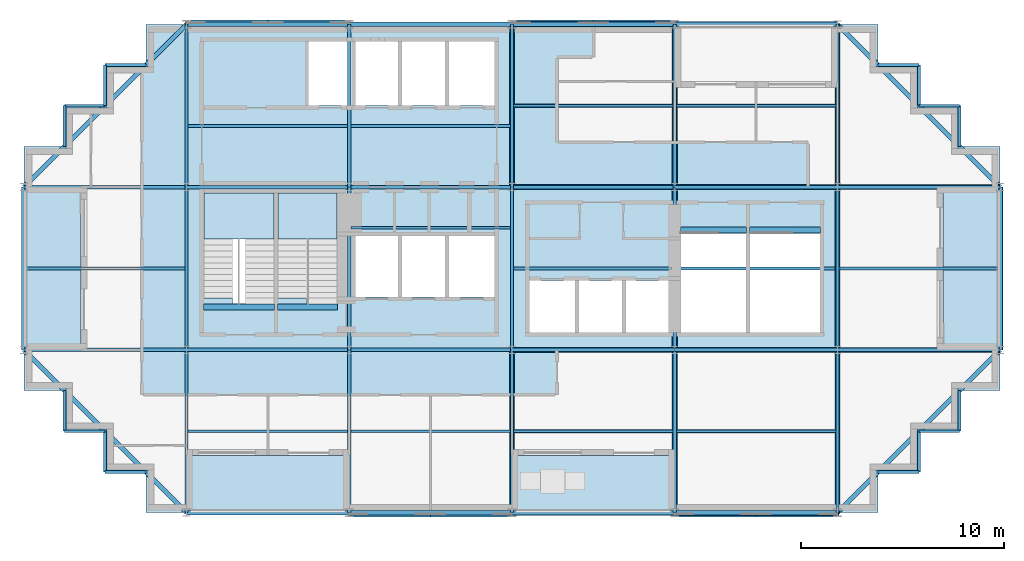
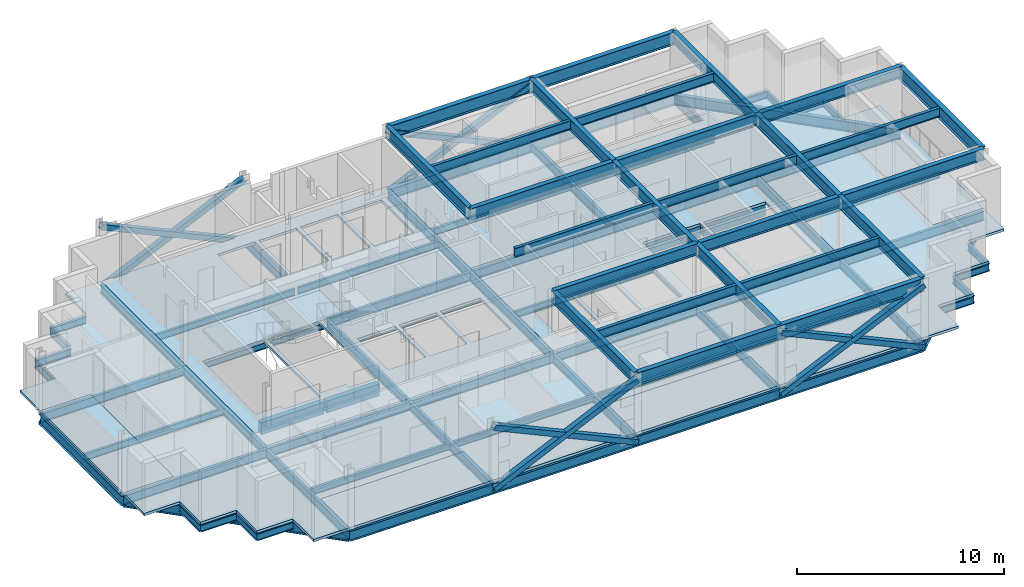
# One storey, part 3 of 10: 99 beams, 9 slabs, 8 members, 2 elements without a shape of their own.
"""IFC4 building model written with IfcOpenShell, lengths in metres."""

from ifc_helpers import new_model, si_unit, direction, frame, origin, origin_2d, place, context, subcontext, project, spatial, polyline, rectangle, hollow_rectangle, i_section, outline, extrude, material, layer, layer_set, material_profile, profile_set, type_object, element, aggregate, save


model = new_model("IFC4")

# Units and contexts
model_context = context("Model", 3, precision=1e-05, world=origin(), true_north=direction((0.0, 1.0)))
body_context = subcontext(model_context, "Body", "Model", "MODEL_VIEW")
ifc_project = project(units=[si_unit("LENGTHUNIT", "METRE"), si_unit("AREAUNIT", "SQUARE_METRE"), si_unit("VOLUMEUNIT", "CUBIC_METRE"), si_unit("PLANEANGLEUNIT", "RADIAN"), si_unit("MASSUNIT", "GRAM", prefix="KILO")], contexts=[model_context])

# Site, building, storey
site_placement = place(None, origin())
site = spatial("IfcSite", under=ifc_project, at=site_placement, CompositionType="ELEMENT")
building_placement = place(site_placement, origin())
building = spatial("IfcBuilding", under=site, at=building_placement, Name="Immortelle Media Tower", CompositionType="ELEMENT")
storey_placement = place(building_placement, frame((0.0, 0.0, 295.0)))
storey = spatial("IfcBuildingStorey", under=building, at=storey_placement, Name="L65", CompositionType="ELEMENT", Elevation=295.0)

# Members
ifc_material_1 = material(Name="Steel ASTM A500 Gr C", Category="steel")
ifc_material_profile_1 = material_profile(ifc_material_1, hollow_rectangle(XDim=0.304931640625, YDim=0.304931640625, WallThickness=0.009033203125, at=origin_2d()), Name="HSS12x12x3/8 brace")
ifc_profile_set_1 = profile_set([ifc_material_profile_1], Name="Steel ASTM A500 Gr C")
member_type = type_object("IfcMemberType", Name="HSS12x12x3/8 brace", PredefinedType="BRACE", material=ifc_profile_set_1)
for number, where, z_axis, x_axis, name in (
    (1, (16.0, -0.0625, -0.450927734375), (0.908924687736, 0.0, 0.416960324281), (0.0, 1.0, 0.0), "Brace A/3-4 A"),
    (2, (16.0, -0.0625, 3.218994140625), (0.908924687736, 0.0, -0.416960324281), (0.0, 1.0, 0.0), "Brace A/3-4 B"),
    (3, (32.0, -0.0625, -0.450927734375), (0.908924687736, 0.0, 0.416960324281), (0.0, 1.0, 0.0), "Brace A/5-6 A"),
    (4, (32.0, -0.0625, 3.218994140625), (0.908924687736, 0.0, -0.416960324281), (0.0, 1.0, 0.0), "Brace A/5-6 B"),
    (5, (32.0, 24.0625, -0.450927734375), (-0.908924687736, 0.0, 0.416960324281), (0.0, -1.0, 0.0), "Brace D/4-5 A"),
    (6, (32.0, 24.0625, 3.218994140625), (-0.908924687736, 0.0, -0.416960324281), (0.0, -1.0, 0.0), "Brace D/4-5 B"),
    (7, (16.0, 24.0625, -0.450927734375), (-0.908924687736, 0.0, 0.416960324281), (0.0, -1.0, 0.0), "Brace D/2-3 A"),
    (8, (16.0, 24.0625, 3.218994140625), (-0.908924687736, 0.0, -0.416960324281), (0.0, -1.0, 0.0), "Brace D/2-3 B"),
):
    element("IfcMember", number, at=place(storey_placement, frame(where, z_axis=z_axis, x_axis=x_axis)), inside=storey, type_object=member_type, Name=name, PredefinedType="BRACE", context=body_context, shape_type="SweptSolid", body=[
        extrude(hollow_rectangle(XDim=0.304931640625, YDim=0.304931640625, WallThickness=0.009033203125, at=origin_2d()), origin(), (0.0, 0.0, 1.0), 8.801513671875),
    ])

# Beams
ifc_material_2 = material(Name="Concrete C50/60", Category="concrete")
ifc_material_profile_2 = material_profile(ifc_material_2, rectangle(XDim=0.300048828125, YDim=0.699951171875, at=origin_2d()), Name="RC 300x700")
ifc_profile_set_2 = profile_set([ifc_material_profile_2], Name="Concrete C50/60")
beam_type_1 = type_object("IfcBeamType", Name="Stair trimmer beam 300 x 700", PredefinedType="BEAM", material=ifc_profile_set_2)
beam_1_placement = place(storey_placement, frame((8.830078125, 10.10498046875, -0.5), z_axis=(1.0, 0.0, 0.0), x_axis=(0.0, 1.0, 0.0)))
element("IfcBeam", 9, at=beam_1_placement, inside=storey, type_object=beam_type_1, Name="Stair trimmer beam SW1", PredefinedType="BEAM", context=body_context, shape_type="SweptSolid", body=[
    extrude(rectangle(XDim=0.300048828125, YDim=0.699951171875, at=origin_2d()), origin(), (0.0, 0.0, 1.0), 3.489990234375),
])
beam_2_placement = place(storey_placement, frame((12.47998046875, 10.10498046875, -0.5), z_axis=(1.0, 0.0, 0.0), x_axis=(0.0, 1.0, 0.0)))
element("IfcBeam", 10, at=beam_2_placement, inside=storey, type_object=beam_type_1, Name="Stair trimmer beam SW2", PredefinedType="BEAM", context=body_context, shape_type="SweptSolid", body=[
    extrude(rectangle(XDim=0.300048828125, YDim=0.699951171875, at=origin_2d()), origin(), (0.0, 0.0, 1.0), 2.93994140625),
])
beam_3_placement = place(storey_placement, frame((32.280029296875, 13.89501953125, -0.5), z_axis=(1.0, 0.0, 0.0), x_axis=(0.0, 1.0, 0.0)))
element("IfcBeam", 11, at=beam_3_placement, inside=storey, type_object=beam_type_1, Name="Stair trimmer beam SE1", PredefinedType="BEAM", context=body_context, shape_type="SweptSolid", body=[
    extrude(rectangle(XDim=0.300048828125, YDim=0.699951171875, at=origin_2d()), origin(), (0.0, 0.0, 1.0), 3.239990234375),
])
beam_4_placement = place(storey_placement, frame((35.679931640625, 13.89501953125, -0.5), z_axis=(1.0, 0.0, 0.0), x_axis=(0.0, 1.0, 0.0)))
element("IfcBeam", 12, at=beam_4_placement, inside=storey, type_object=beam_type_1, Name="Stair trimmer beam SE2", PredefinedType="BEAM", context=body_context, shape_type="SweptSolid", body=[
    extrude(rectangle(XDim=0.300048828125, YDim=0.699951171875, at=origin_2d()), origin(), (0.0, 0.0, 1.0), 3.489990234375),
])
ifc_material_3 = material(Name="Steel ASTM A992 Gr 50", Category="steel")
ifc_material_profile_3 = material_profile(ifc_material_3, i_section(OverallWidth=0.139892578125, OverallDepth=0.404052734375, WebThickness=0.007080078125, FlangeThickness=0.010986328125, at=origin_2d()), Name="W16x31")
ifc_profile_set_3 = profile_set([ifc_material_profile_3], Name="Steel ASTM A992 Gr 50")
beam_type_2 = type_object("IfcBeamType", Name="W16x31 secondary beam", PredefinedType="JOIST", material=ifc_profile_set_3)
for number, where, z_axis, x_axis, name in (
    (13, (8.08251953125, 4.0, -0.35205078125), (1.0, 0.0, 0.0), (0.0, 1.0, 0.0), "Beam A-B/2-3"),
    (14, (16.08251953125, 4.0, -0.35205078125), (1.0, 0.0, 0.0), (0.0, 1.0, 0.0), "Beam A-B/3-4"),
    (15, (24.08251953125, 4.0, -0.35205078125), (1.0, 0.0, 0.0), (0.0, 1.0, 0.0), "Beam A-B/4-5"),
    (16, (32.08251953125, 4.0, -0.35205078125), (1.0, 0.0, 0.0), (0.0, 1.0, 0.0), "Beam A-B/5-6"),
):
    element("IfcBeam", number, at=place(storey_placement, frame(where, z_axis=z_axis, x_axis=x_axis)), inside=storey, type_object=beam_type_2, Name=name, PredefinedType="JOIST", context=body_context, shape_type="SweptSolid", body=[
        extrude(i_section(OverallWidth=0.139892578125, OverallDepth=0.404052734375, WebThickness=0.007080078125, FlangeThickness=0.010986328125, at=origin_2d()), origin(), (0.0, 0.0, 1.0), 7.8349609375),
    ])
beam_5_placement = place(storey_placement, frame((0.114013671875, 12.0, -0.35205078125), z_axis=(1.0, 0.0, 0.0), x_axis=(0.0, 1.0, 0.0)))
element("IfcBeam", 17, at=beam_5_placement, inside=storey, type_object=beam_type_2, Name="Beam B-C/1-2", PredefinedType="JOIST", context=body_context, shape_type="SweptSolid", body=[
    extrude(i_section(OverallWidth=0.139892578125, OverallDepth=0.404052734375, WebThickness=0.007080078125, FlangeThickness=0.010986328125, at=origin_2d()), origin(), (0.0, 0.0, 1.0), 7.803466796875),
])
for number, where, z_axis, x_axis, name in (
    (18, (16.08251953125, 14.0, -0.35205078125), (1.0, 0.0, 0.0), (0.0, 1.0, 0.0), "Beam B-C/3-4"),
    (19, (24.08251953125, 12.0, -0.35205078125), (1.0, 0.0, 0.0), (0.0, 1.0, 0.0), "Beam B-C/4-5"),
):
    element("IfcBeam", number, at=place(storey_placement, frame(where, z_axis=z_axis, x_axis=x_axis)), inside=storey, type_object=beam_type_2, Name=name, PredefinedType="JOIST", context=body_context, shape_type="SweptSolid", body=[
        extrude(i_section(OverallWidth=0.139892578125, OverallDepth=0.404052734375, WebThickness=0.007080078125, FlangeThickness=0.010986328125, at=origin_2d()), origin(), (0.0, 0.0, 1.0), 7.8349609375),
    ])
beam_6_placement = place(storey_placement, frame((40.08251953125, 12.0, -0.35205078125), z_axis=(1.0, 0.0, 0.0), x_axis=(0.0, 1.0, 0.0)))
element("IfcBeam", 20, at=beam_6_placement, inside=storey, type_object=beam_type_2, Name="Beam B-C/6-7", PredefinedType="JOIST", context=body_context, shape_type="SweptSolid", body=[
    extrude(i_section(OverallWidth=0.139892578125, OverallDepth=0.404052734375, WebThickness=0.007080078125, FlangeThickness=0.010986328125, at=origin_2d()), origin(), (0.0, 0.0, 1.0), 7.803466796875),
])
for number, where, z_axis, x_axis, name in (
    (21, (8.08251953125, 19.0, -0.35205078125), (1.0, 0.0, 0.0), (0.0, 1.0, 0.0), "Beam C-D/2-3"),
    (22, (16.08251953125, 19.0, -0.35205078125), (1.0, 0.0, 0.0), (0.0, 1.0, 0.0), "Beam C-D/3-4"),
    (23, (24.08251953125, 20.0, -0.35205078125), (1.0, 0.0, 0.0), (0.0, 1.0, 0.0), "Beam C-D/4-5"),
    (24, (32.08251953125, 20.0, -0.35205078125), (1.0, 0.0, 0.0), (0.0, 1.0, 0.0), "Beam C-D/5-6"),
):
    element("IfcBeam", number, at=place(storey_placement, frame(where, z_axis=z_axis, x_axis=x_axis)), inside=storey, type_object=beam_type_2, Name=name, PredefinedType="JOIST", context=body_context, shape_type="SweptSolid", body=[
        extrude(i_section(OverallWidth=0.139892578125, OverallDepth=0.404052734375, WebThickness=0.007080078125, FlangeThickness=0.010986328125, at=origin_2d()), origin(), (0.0, 0.0, 1.0), 7.8349609375),
    ])
ifc_material_profile_4 = material_profile(ifc_material_3, i_section(OverallWidth=0.139892578125, OverallDepth=0.404052734375, WebThickness=0.007080078125, FlangeThickness=0.010986328125, at=origin_2d()), Name="W16x31")
ifc_profile_set_4 = profile_set([ifc_material_profile_4], Name="Steel ASTM A992 Gr 50")
beam_type_3 = type_object("IfcBeamType", Name="W16x31 serration edge beam", PredefinedType="SPANDREL", material=ifc_profile_set_4)
for number, where, z_axis, x_axis, name in (
    (25, (6.0, 2.0, -0.35205078125), (-1.0, 0.0, 0.0), (0.0, -1.0, 0.0), "Corner edge beam 1 at 1/A"),
    (26, (4.0, 2.0, -0.35205078125), (0.0, 1.0, 0.0), (-1.0, 0.0, 0.0), "Corner edge beam 2 at 1/A"),
    (27, (4.0, 4.0, -0.35205078125), (-1.0, 0.0, 0.0), (0.0, -1.0, 0.0), "Corner edge beam 3 at 1/A"),
    (28, (2.0, 4.0, -0.35205078125), (0.0, 1.0, 0.0), (-1.0, 0.0, 0.0), "Corner edge beam 4 at 1/A"),
    (29, (2.0, 18.0, -0.35205078125), (0.0, 1.0, 0.0), (-1.0, 0.0, 0.0), "Corner edge beam 1 at 1/D"),
    (30, (2.0, 20.0, -0.35205078125), (1.0, 0.0, 0.0), (0.0, 1.0, 0.0), "Corner edge beam 2 at 1/D"),
    (31, (4.0, 20.0, -0.35205078125), (0.0, 1.0, 0.0), (-1.0, 0.0, 0.0), "Corner edge beam 3 at 1/D"),
    (32, (4.0, 22.0, -0.35205078125), (1.0, 0.0, 0.0), (0.0, 1.0, 0.0), "Corner edge beam 4 at 1/D"),
    (33, (46.0, 6.0, -0.35205078125), (0.0, -1.0, 0.0), (1.0, 0.0, 0.0), "Corner edge beam 1 at 7/A"),
    (34, (46.0, 4.0, -0.35205078125), (-1.0, 0.0, 0.0), (0.0, -1.0, 0.0), "Corner edge beam 2 at 7/A"),
    (35, (44.0, 4.0, -0.35205078125), (0.0, -1.0, 0.0), (1.0, 0.0, 0.0), "Corner edge beam 3 at 7/A"),
    (36, (44.0, 2.0, -0.35205078125), (-1.0, 0.0, 0.0), (0.0, -1.0, 0.0), "Corner edge beam 4 at 7/A"),
    (37, (42.0, 22.0, -0.35205078125), (1.0, 0.0, 0.0), (0.0, 1.0, 0.0), "Corner edge beam 1 at 7/D"),
    (38, (44.0, 22.0, -0.35205078125), (0.0, -1.0, 0.0), (1.0, 0.0, 0.0), "Corner edge beam 2 at 7/D"),
    (39, (44.0, 20.0, -0.35205078125), (1.0, 0.0, 0.0), (0.0, 1.0, 0.0), "Corner edge beam 3 at 7/D"),
    (40, (46.0, 20.0, -0.35205078125), (0.0, -1.0, 0.0), (1.0, 0.0, 0.0), "Corner edge beam 4 at 7/D"),
):
    element("IfcBeam", number, at=place(storey_placement, frame(where, z_axis=z_axis, x_axis=x_axis)), inside=storey, type_object=beam_type_3, Name=name, PredefinedType="SPANDREL", context=body_context, shape_type="SweptSolid", body=[
        extrude(i_section(OverallWidth=0.139892578125, OverallDepth=0.404052734375, WebThickness=0.007080078125, FlangeThickness=0.010986328125, at=origin_2d()), origin(), (0.0, 0.0, 1.0), 2.0),
    ])
ifc_material_profile_5 = material_profile(ifc_material_3, i_section(OverallWidth=0.1650390625, OverallDepth=0.52587890625, WebThickness=0.009033203125, FlangeThickness=0.010986328125, at=origin_2d()), Name="W21x44")
ifc_profile_set_5 = profile_set([ifc_material_profile_5], Name="Steel ASTM A992 Gr 50")
beam_type_4 = type_object("IfcBeamType", Name="W21x44 girder", PredefinedType="BEAM", material=ifc_profile_set_5)
for number, where, z_axis, x_axis, name in (
    (41, (0.0, 8.0, -0.4130859375), (1.0, 0.0, 0.0), (0.0, 1.0, 0.0), "Girder B/1-2"),
    (42, (0.0, 16.0, -0.4130859375), (1.0, 0.0, 0.0), (0.0, 1.0, 0.0), "Girder C/1-2"),
    (43, (8.0, 0.0, -0.4130859375), (0.0, 1.0, 0.0), (-1.0, 0.0, 0.0), "Girder 2/A-B"),
    (44, (8.0, 8.0, -0.4130859375), (1.0, 0.0, 0.0), (0.0, 1.0, 0.0), "Girder B/2-3"),
    (45, (8.0, 8.0, -0.4130859375), (0.0, 1.0, 0.0), (-1.0, 0.0, 0.0), "Girder 2/B-C"),
    (46, (8.0, 16.0, -0.4130859375), (1.0, 0.0, 0.0), (0.0, 1.0, 0.0), "Girder C/2-3"),
    (47, (8.0, 16.0, -0.4130859375), (0.0, 1.0, 0.0), (-1.0, 0.0, 0.0), "Girder 2/C-D"),
    (48, (16.0, 0.0, -0.4130859375), (0.0, 1.0, 0.0), (-1.0, 0.0, 0.0), "Girder 3/A-B"),
    (49, (16.0, 8.0, -0.4130859375), (1.0, 0.0, 0.0), (0.0, 1.0, 0.0), "Girder B/3-4"),
    (50, (16.0, 8.0, -0.4130859375), (0.0, 1.0, 0.0), (-1.0, 0.0, 0.0), "Girder 3/B-C"),
    (51, (16.0, 16.0, -0.4130859375), (1.0, 0.0, 0.0), (0.0, 1.0, 0.0), "Girder C/3-4"),
    (52, (16.0, 16.0, -0.4130859375), (0.0, 1.0, 0.0), (-1.0, 0.0, 0.0), "Girder 3/C-D"),
    (53, (24.0, 0.0, -0.4130859375), (0.0, 1.0, 0.0), (-1.0, 0.0, 0.0), "Girder 4/A-B"),
    (54, (24.0, 8.0, -0.4130859375), (1.0, 0.0, 0.0), (0.0, 1.0, 0.0), "Girder B/4-5"),
    (55, (24.0, 8.0, -0.4130859375), (0.0, 1.0, 0.0), (-1.0, 0.0, 0.0), "Girder 4/B-C"),
    (56, (24.0, 16.0, -0.4130859375), (1.0, 0.0, 0.0), (0.0, 1.0, 0.0), "Girder C/4-5"),
    (57, (24.0, 16.0, -0.4130859375), (0.0, 1.0, 0.0), (-1.0, 0.0, 0.0), "Girder 4/C-D"),
    (58, (32.0, 0.0, -0.4130859375), (0.0, 1.0, 0.0), (-1.0, 0.0, 0.0), "Girder 5/A-B"),
    (59, (32.0, 8.0, -0.4130859375), (1.0, 0.0, 0.0), (0.0, 1.0, 0.0), "Girder B/5-6"),
    (60, (32.0, 8.0, -0.4130859375), (0.0, 1.0, 0.0), (-1.0, 0.0, 0.0), "Girder 5/B-C"),
    (61, (32.0, 16.0, -0.4130859375), (1.0, 0.0, 0.0), (0.0, 1.0, 0.0), "Girder C/5-6"),
    (62, (32.0, 16.0, -0.4130859375), (0.0, 1.0, 0.0), (-1.0, 0.0, 0.0), "Girder 5/C-D"),
    (63, (40.0, 0.0, -0.4130859375), (0.0, 1.0, 0.0), (-1.0, 0.0, 0.0), "Girder 6/A-B"),
    (64, (40.0, 8.0, -0.4130859375), (1.0, 0.0, 0.0), (0.0, 1.0, 0.0), "Girder B/6-7"),
    (65, (40.0, 8.0, -0.4130859375), (0.0, 1.0, 0.0), (-1.0, 0.0, 0.0), "Girder 6/B-C"),
    (66, (40.0, 16.0, -0.4130859375), (1.0, 0.0, 0.0), (0.0, 1.0, 0.0), "Girder C/6-7"),
    (67, (40.0, 16.0, -0.4130859375), (0.0, 1.0, 0.0), (-1.0, 0.0, 0.0), "Girder 6/C-D"),
):
    element("IfcBeam", number, at=place(storey_placement, frame(where, z_axis=z_axis, x_axis=x_axis)), inside=storey, type_object=beam_type_4, Name=name, PredefinedType="BEAM", context=body_context, shape_type="SweptSolid", body=[
        extrude(i_section(OverallWidth=0.1650390625, OverallDepth=0.52587890625, WebThickness=0.009033203125, FlangeThickness=0.010986328125, at=origin_2d()), origin(), (0.0, 0.0, 1.0), 8.0),
    ])
ifc_material_profile_6 = material_profile(ifc_material_3, i_section(OverallWidth=0.1669921875, OverallDepth=0.535888671875, WebThickness=0.010009765625, FlangeThickness=0.01708984375, at=origin_2d()), Name="W21x57")
ifc_profile_set_6 = profile_set([ifc_material_profile_6], Name="Steel ASTM A992 Gr 50")
beam_type_5 = type_object("IfcBeamType", Name="W21x57 secondary beam", PredefinedType="JOIST", material=ifc_profile_set_6)
for number, where, z_axis, x_axis, name in (
    (68, (24.12646484375, 4.0, 3.33203125), (1.0, 0.0, 0.0), (0.0, 1.0, 0.0), "Beam A-B/4-5"),
    (69, (32.12646484375, 4.0, 3.33203125), (1.0, 0.0, 0.0), (0.0, 1.0, 0.0), "Beam A-B/5-6"),
    (70, (24.12646484375, 12.0, 3.33203125), (1.0, 0.0, 0.0), (0.0, 1.0, 0.0), "Beam B-C/4-5"),
    (71, (32.12646484375, 12.0, 3.33203125), (1.0, 0.0, 0.0), (0.0, 1.0, 0.0), "Beam B-C/5-6"),
):
    element("IfcBeam", number, at=place(storey_placement, frame(where, z_axis=z_axis, x_axis=x_axis)), inside=storey, type_object=beam_type_5, Name=name, PredefinedType="JOIST", context=body_context, shape_type="SweptSolid", body=[
        extrude(i_section(OverallWidth=0.1669921875, OverallDepth=0.535888671875, WebThickness=0.010009765625, FlangeThickness=0.01708984375, at=origin_2d()), origin(), (0.0, 0.0, 1.0), 7.7470703125),
    ])
beam_7_placement = place(storey_placement, frame((40.12646484375, 12.0, 3.33203125), z_axis=(1.0, 0.0, 0.0), x_axis=(0.0, 1.0, 0.0)))
element("IfcBeam", 72, at=beam_7_placement, inside=storey, type_object=beam_type_5, Name="Beam B-C/6-7", PredefinedType="JOIST", context=body_context, shape_type="SweptSolid", body=[
    extrude(i_section(OverallWidth=0.1669921875, OverallDepth=0.535888671875, WebThickness=0.010009765625, FlangeThickness=0.01708984375, at=origin_2d()), origin(), (0.0, 0.0, 1.0), 7.739990234375),
])
for number, where, z_axis, x_axis, name in (
    (73, (24.12646484375, 20.0, 3.33203125), (1.0, 0.0, 0.0), (0.0, 1.0, 0.0), "Beam C-D/4-5"),
    (74, (32.12646484375, 20.0, 3.33203125), (1.0, 0.0, 0.0), (0.0, 1.0, 0.0), "Beam C-D/5-6"),
):
    element("IfcBeam", number, at=place(storey_placement, frame(where, z_axis=z_axis, x_axis=x_axis)), inside=storey, type_object=beam_type_5, Name=name, PredefinedType="JOIST", context=body_context, shape_type="SweptSolid", body=[
        extrude(i_section(OverallWidth=0.1669921875, OverallDepth=0.535888671875, WebThickness=0.010009765625, FlangeThickness=0.01708984375, at=origin_2d()), origin(), (0.0, 0.0, 1.0), 7.7470703125),
    ])
ifc_material_profile_7 = material_profile(ifc_material_3, i_section(OverallWidth=0.22802734375, OverallDepth=0.60205078125, WebThickness=0.010986328125, FlangeThickness=0.014892578125, at=origin_2d()), Name="W24x68")
ifc_profile_set_7 = profile_set([ifc_material_profile_7], Name="Steel ASTM A992 Gr 50")
beam_type_6 = type_object("IfcBeamType", Name="W24x68 perimeter girder", PredefinedType="SPANDREL", material=ifc_profile_set_7)
for number, where, z_axis, x_axis, name in (
    (75, (0.0, 8.0, -0.450927734375), (0.0, 1.0, 0.0), (-1.0, 0.0, 0.0), "Girder 1/B-C"),
    (76, (8.0, 0.0, -0.450927734375), (1.0, 0.0, 0.0), (0.0, 1.0, 0.0), "Girder A/2-3"),
    (77, (8.0, 24.0, -0.450927734375), (1.0, 0.0, 0.0), (0.0, 1.0, 0.0), "Girder D/2-3"),
    (78, (16.0, 0.0, -0.450927734375), (1.0, 0.0, 0.0), (0.0, 1.0, 0.0), "Girder A/3-4"),
    (79, (16.0, 24.0, -0.450927734375), (1.0, 0.0, 0.0), (0.0, 1.0, 0.0), "Girder D/3-4"),
    (80, (24.0, 0.0, -0.450927734375), (1.0, 0.0, 0.0), (0.0, 1.0, 0.0), "Girder A/4-5"),
    (81, (24.0, 24.0, -0.450927734375), (1.0, 0.0, 0.0), (0.0, 1.0, 0.0), "Girder D/4-5"),
    (82, (32.0, 0.0, -0.450927734375), (1.0, 0.0, 0.0), (0.0, 1.0, 0.0), "Girder A/5-6"),
    (83, (32.0, 24.0, -0.450927734375), (1.0, 0.0, 0.0), (0.0, 1.0, 0.0), "Girder D/5-6"),
    (84, (48.0, 8.0, -0.450927734375), (0.0, 1.0, 0.0), (-1.0, 0.0, 0.0), "Girder 7/B-C"),
):
    element("IfcBeam", number, at=place(storey_placement, frame(where, z_axis=z_axis, x_axis=x_axis)), inside=storey, type_object=beam_type_6, Name=name, PredefinedType="SPANDREL", context=body_context, shape_type="SweptSolid", body=[
        extrude(i_section(OverallWidth=0.22802734375, OverallDepth=0.60205078125, WebThickness=0.010986328125, FlangeThickness=0.014892578125, at=origin_2d()), origin(), (0.0, 0.0, 1.0), 8.0),
    ])
ifc_material_profile_8 = material_profile(ifc_material_3, i_section(OverallWidth=0.22900390625, OverallDepth=0.612060546875, WebThickness=0.011962890625, FlangeThickness=0.02001953125, at=origin_2d()), Name="W24x84")
ifc_profile_set_8 = profile_set([ifc_material_profile_8], Name="Steel ASTM A992 Gr 50")
beam_type_7 = type_object("IfcBeamType", Name="W24x84 corner girder", PredefinedType="SPANDREL", material=ifc_profile_set_8)
for number, where, z_axis, x_axis, name in (
    (85, (8.0, 0.0, -0.4560546875), (-0.707106781187, 0.707106781187, 0.0), (-0.707106781187, -0.707106781187, 0.0), "Corner girder at 1/A"),
    (86, (0.0, 16.0, -0.4560546875), (0.707106781187, 0.707106781187, 0.0), (-0.707106781187, 0.707106781187, 0.0), "Corner girder at 1/D"),
    (87, (48.0, 8.0, -0.4560546875), (-0.707106781187, -0.707106781187, 0.0), (0.707106781187, -0.707106781187, 0.0), "Corner girder at 7/A"),
    (88, (40.0, 24.0, -0.4560546875), (0.707106781187, -0.707106781187, 0.0), (0.707106781187, 0.707106781187, 0.0), "Corner girder at 7/D"),
):
    element("IfcBeam", number, at=place(storey_placement, frame(where, z_axis=z_axis, x_axis=x_axis)), inside=storey, type_object=beam_type_7, Name=name, PredefinedType="SPANDREL", context=body_context, shape_type="SweptSolid", body=[
        extrude(i_section(OverallWidth=0.22900390625, OverallDepth=0.612060546875, WebThickness=0.011962890625, FlangeThickness=0.02001953125, at=origin_2d()), origin(), (0.0, 0.0, 1.0), 11.313720703125),
    ])
ifc_material_profile_9 = material_profile(ifc_material_3, i_section(OverallWidth=0.2529296875, OverallDepth=0.677978515625, WebThickness=0.011962890625, FlangeThickness=0.01611328125, at=origin_2d()), Name="W27x84")
ifc_profile_set_9 = profile_set([ifc_material_profile_9], Name="Steel ASTM A992 Gr 50")
beam_type_8 = type_object("IfcBeamType", Name="W27x84 girder", PredefinedType="BEAM", material=ifc_profile_set_9)
for number, where, z_axis, x_axis, name in (
    (89, (24.0, 0.0, 3.260986328125), (0.0, 1.0, 0.0), (-1.0, 0.0, 0.0), "Girder 4/A-B"),
    (90, (24.0, 8.0, 3.260986328125), (1.0, 0.0, 0.0), (0.0, 1.0, 0.0), "Girder B/4-5"),
    (91, (24.0, 16.0, 3.260986328125), (1.0, 0.0, 0.0), (0.0, 1.0, 0.0), "Girder C/4-5"),
    (92, (24.0, 16.0, 3.260986328125), (0.0, 1.0, 0.0), (-1.0, 0.0, 0.0), "Girder 4/C-D"),
    (93, (32.0, 0.0, 3.260986328125), (0.0, 1.0, 0.0), (-1.0, 0.0, 0.0), "Girder 5/A-B"),
    (94, (32.0, 8.0, 3.260986328125), (1.0, 0.0, 0.0), (0.0, 1.0, 0.0), "Girder B/5-6"),
    (95, (32.0, 8.0, 3.260986328125), (0.0, 1.0, 0.0), (-1.0, 0.0, 0.0), "Girder 5/B-C"),
    (96, (32.0, 16.0, 3.260986328125), (1.0, 0.0, 0.0), (0.0, 1.0, 0.0), "Girder C/5-6"),
    (97, (32.0, 16.0, 3.260986328125), (0.0, 1.0, 0.0), (-1.0, 0.0, 0.0), "Girder 5/C-D"),
    (98, (40.0, 0.0, 3.260986328125), (0.0, 1.0, 0.0), (-1.0, 0.0, 0.0), "Girder 6/A-B"),
    (99, (40.0, 8.0, 3.260986328125), (1.0, 0.0, 0.0), (0.0, 1.0, 0.0), "Girder B/6-7"),
    (100, (40.0, 8.0, 3.260986328125), (0.0, 1.0, 0.0), (-1.0, 0.0, 0.0), "Girder 6/B-C"),
    (101, (40.0, 16.0, 3.260986328125), (1.0, 0.0, 0.0), (0.0, 1.0, 0.0), "Girder C/6-7"),
    (102, (40.0, 16.0, 3.260986328125), (0.0, 1.0, 0.0), (-1.0, 0.0, 0.0), "Girder 6/C-D"),
):
    element("IfcBeam", number, at=place(storey_placement, frame(where, z_axis=z_axis, x_axis=x_axis)), inside=storey, type_object=beam_type_8, Name=name, PredefinedType="BEAM", context=body_context, shape_type="SweptSolid", body=[
        extrude(i_section(OverallWidth=0.2529296875, OverallDepth=0.677978515625, WebThickness=0.011962890625, FlangeThickness=0.01611328125, at=origin_2d()), origin(), (0.0, 0.0, 1.0), 8.0),
    ])
ifc_material_profile_10 = material_profile(ifc_material_3, i_section(OverallWidth=0.26708984375, OverallDepth=0.761962890625, WebThickness=0.013916015625, FlangeThickness=0.02197265625, at=origin_2d()), Name="W30x116")
ifc_profile_set_10 = profile_set([ifc_material_profile_10], Name="Steel ASTM A992 Gr 50")
beam_type_9 = type_object("IfcBeamType", Name="W30x116 perimeter girder", PredefinedType="SPANDREL", material=ifc_profile_set_10)
for number, where, z_axis, x_axis, name in (
    (103, (24.0, 0.0, 3.218994140625), (1.0, 0.0, 0.0), (0.0, 1.0, 0.0), "Girder A/4-5"),
    (104, (24.0, 24.0, 3.218994140625), (1.0, 0.0, 0.0), (0.0, 1.0, 0.0), "Girder D/4-5"),
    (105, (32.0, 0.0, 3.218994140625), (1.0, 0.0, 0.0), (0.0, 1.0, 0.0), "Girder A/5-6"),
    (106, (32.0, 24.0, 3.218994140625), (1.0, 0.0, 0.0), (0.0, 1.0, 0.0), "Girder D/5-6"),
    (107, (48.0, 8.0, 3.218994140625), (0.0, 1.0, 0.0), (-1.0, 0.0, 0.0), "Girder 7/B-C"),
):
    element("IfcBeam", number, at=place(storey_placement, frame(where, z_axis=z_axis, x_axis=x_axis)), inside=storey, type_object=beam_type_9, Name=name, PredefinedType="SPANDREL", context=body_context, shape_type="SweptSolid", body=[
        extrude(i_section(OverallWidth=0.26708984375, OverallDepth=0.761962890625, WebThickness=0.013916015625, FlangeThickness=0.02197265625, at=origin_2d()), origin(), (0.0, 0.0, 1.0), 8.0),
    ])

# Slabs
ifc_material_4 = material(Name="Concrete C50/60 composite deck", Category="concrete")
ifc_layer_1 = layer(ifc_material_4, 0.14990234375)
ifc_layer_set_1 = layer_set([ifc_layer_1], Name="Concrete C50/60 composite deck")
slab_type_1 = type_object("IfcSlabType", Name="Balcony slab 150", PredefinedType="FLOOR", material=ifc_layer_set_1)
slab_1_placement = place(storey_placement, frame((0.0, 0.0, -0.14990234375)))
element("IfcSlab", 108, at=slab_1_placement, inside=storey, type_object=slab_type_1, Name="Balcony slab L65 S0", PredefinedType="FLOOR", context=body_context, shape_type="SweptSolid", body=[
    extrude(outline(polyline([(16.0, 0.0), (16.0, 2.800048828125), (8.0, 2.800048828125), (8.0, 0.0), (16.0, 0.0)])), origin(), (0.0, 0.0, 1.0), 0.14990234375),
])
slab_2_placement = place(storey_placement, frame((0.0, 0.0, -0.14990234375)))
element("IfcSlab", 109, at=slab_2_placement, inside=storey, type_object=slab_type_1, Name="Balcony slab L65 S2", PredefinedType="FLOOR", context=body_context, shape_type="SweptSolid", body=[
    extrude(outline(polyline([(32.0, 0.0), (32.0, 2.800048828125), (24.0, 2.800048828125), (24.0, 0.0), (32.0, 0.0)])), origin(), (0.0, 0.0, 1.0), 0.14990234375),
])
slab_3_placement = place(storey_placement, frame((0.0, 0.0, -0.14990234375)))
element("IfcSlab", 110, at=slab_3_placement, inside=storey, type_object=slab_type_1, Name="Balcony slab L65 E0", PredefinedType="FLOOR", context=body_context, shape_type="SweptSolid", body=[
    extrude(outline(polyline([(48.0, 8.0), (48.0, 16.0), (45.199951171875, 16.0), (45.199951171875, 8.0), (48.0, 8.0)])), origin(), (0.0, 0.0, 1.0), 0.14990234375),
])
slab_4_placement = place(storey_placement, frame((0.0, 0.0, -0.14990234375)))
element("IfcSlab", 111, at=slab_4_placement, inside=storey, type_object=slab_type_1, Name="Balcony slab L65 W0", PredefinedType="FLOOR", context=body_context, shape_type="SweptSolid", body=[
    extrude(outline(polyline([(2.800048828125, 8.0), (2.800048828125, 16.0), (0.0, 16.0), (0.0, 8.0), (2.800048828125, 8.0)])), origin(), (0.0, 0.0, 1.0), 0.14990234375),
])
ifc_layer_2 = layer(ifc_material_2, 0.14990234375)
ifc_layer_set_2 = layer_set([ifc_layer_2], Name="Concrete C50/60")
slab_type_2 = type_object("IfcSlabType", Name="Composite floor slab 150", PredefinedType="FLOOR", material=ifc_layer_set_2)
slab_5_placement = place(storey_placement, frame((0.0, 0.0, -0.14990234375)))
element("IfcSlab", 112, at=slab_5_placement, inside=storey, type_object=slab_type_2, Name="Floor slab L65", PredefinedType="FLOOR", context=body_context, shape_type="SweptSolid", body=[
    extrude(outline(polyline([(6.0, 0.0), (6.0, 2.0), (4.0, 2.0), (4.0, 4.0), (2.0, 4.0), (2.0, 6.0), (0.0, 6.0), (0.0, 8.0), (2.800048828125, 8.0), (2.800048828125, 16.0), (0.0, 16.0), (0.0, 18.0), (2.0, 18.0), (2.0, 20.0), (4.0, 20.0), (4.0, 22.0), (6.0, 22.0), (6.0, 24.0), (8.0, 24.0), (8.0, 8.0), (24.0, 8.0), (40.0, 8.0), (40.0, 16.0), (24.0, 16.0), (24.0, 21.199951171875), (24.0, 24.0), (32.0, 24.0), (32.0, 21.199951171875), (40.0, 21.199951171875), (40.0, 24.0), (42.0, 24.0), (42.0, 22.0), (44.0, 22.0), (44.0, 20.0), (46.0, 20.0), (46.0, 18.0), (48.0, 18.0), (48.0, 16.0), (45.199951171875, 16.0), (45.199951171875, 8.0), (48.0, 8.0), (48.0, 6.0), (46.0, 6.0), (46.0, 4.0), (44.0, 4.0), (44.0, 2.0), (42.0, 2.0), (42.0, 0.0), (32.0, 0.0), (32.0, 2.800048828125), (24.0, 2.800048828125), (24.0, 0.0), (16.0, 0.0), (16.0, 2.800048828125), (8.0, 2.800048828125), (8.0, 0.0), (6.0, 0.0)])), origin(), (0.0, 0.0, 1.0), 0.14990234375),
])
ifc_layer_3 = layer(ifc_material_2, 0.14990234375)
ifc_layer_set_3 = layer_set([ifc_layer_3], Name="Concrete C50/60")
slab_type_3 = type_object("IfcSlabType", Name="Core floor slab 150", PredefinedType="FLOOR", material=ifc_layer_set_3)
slab_6_placement = place(storey_placement, frame((0.0, 0.0, -0.14990234375)))
element("IfcSlab", 113, at=slab_6_placement, inside=storey, type_object=slab_type_3, Name="Core floor SW", PredefinedType="FLOOR", context=body_context, shape_type="SweptSolid", body=[
    extrude(outline(polyline([(8.0, 8.0), (24.0, 8.0), (24.0, 24.0), (8.0, 24.0), (8.0, 8.0)]), holes=[polyline([(14.0, 20.0), (16.10009765625, 20.0), (16.10009765625, 23.14990234375), (14.0, 23.14990234375), (14.0, 20.0)]), polyline([(16.300048828125, 20.0), (18.39990234375, 20.0), (18.39990234375, 23.14990234375), (16.300048828125, 23.14990234375), (16.300048828125, 20.0)]), polyline([(18.60009765625, 20.0), (20.699951171875, 20.0), (20.699951171875, 23.14990234375), (18.60009765625, 23.14990234375), (18.60009765625, 20.0)]), polyline([(20.89990234375, 20.0), (23.14990234375, 20.0), (23.14990234375, 23.14990234375), (20.89990234375, 23.14990234375), (20.89990234375, 20.0)]), polyline([(16.300048828125, 10.60009765625), (18.39990234375, 10.60009765625), (18.39990234375, 13.60009765625), (16.300048828125, 13.60009765625), (16.300048828125, 10.60009765625)]), polyline([(18.60009765625, 10.60009765625), (20.699951171875, 10.60009765625), (20.699951171875, 13.60009765625), (18.60009765625, 13.60009765625), (18.60009765625, 10.60009765625)]), polyline([(20.89990234375, 10.60009765625), (23.14990234375, 10.60009765625), (23.14990234375, 13.60009765625), (20.89990234375, 13.60009765625), (20.89990234375, 10.60009765625)]), polyline([(8.85009765625, 15.699951171875), (12.300048828125, 15.699951171875), (12.300048828125, 10.27001953125), (10.25, 10.27001953125), (10.25, 10.56005859375), (8.85009765625, 10.56005859375), (8.85009765625, 15.699951171875)]), polyline([(12.5, 15.699951171875), (15.39990234375, 15.699951171875), (15.39990234375, 10.27001953125), (13.89990234375, 10.27001953125), (13.89990234375, 10.56005859375), (12.5, 10.56005859375), (12.5, 15.699951171875)])]), origin(), (0.0, 0.0, 1.0), 0.14990234375),
])
slab_7_placement = place(storey_placement, frame((0.0, 0.0, -0.14990234375)))
element("IfcSlab", 114, at=slab_7_placement, inside=storey, type_object=slab_type_3, Name="Core floor SE", PredefinedType="FLOOR", context=body_context, shape_type="SweptSolid", body=[
    extrude(outline(polyline([(24.0, 8.0), (40.0, 8.0), (40.0, 16.0), (24.0, 16.0), (24.0, 8.0)]), holes=[polyline([(24.85009765625, 8.85009765625), (27.10009765625, 8.85009765625), (27.10009765625, 11.39990234375), (24.85009765625, 11.39990234375), (24.85009765625, 8.85009765625)]), polyline([(27.300048828125, 8.85009765625), (29.39990234375, 8.85009765625), (29.39990234375, 11.39990234375), (27.300048828125, 11.39990234375), (27.300048828125, 8.85009765625)]), polyline([(29.60009765625, 8.85009765625), (31.699951171875, 8.85009765625), (31.699951171875, 11.39990234375), (29.60009765625, 11.39990234375), (29.60009765625, 8.85009765625)]), polyline([(32.300048828125, 8.85009765625), (35.5, 8.85009765625), (35.5, 13.72998046875), (32.300048828125, 13.72998046875), (32.300048828125, 8.85009765625)]), polyline([(35.699951171875, 8.85009765625), (39.14990234375, 8.85009765625), (39.14990234375, 13.72998046875), (35.699951171875, 13.72998046875), (35.699951171875, 8.85009765625)])]), origin(), (0.0, 0.0, 1.0), 0.14990234375),
])

# Stair, slab
stair_type = type_object("IfcStairType", Name="Stair with flights", PredefinedType="DOUBLE_RETURN_STAIR", material=ifc_material_3)
stair_1_placement = place(storey_placement, origin())
stair_1 = element("IfcStair", 115, at=stair_1_placement, inside=storey, type_object=stair_type, Name="Exit stair SW1", PredefinedType="DOUBLE_RETURN_STAIR")
ifc_material_5 = material(Name="Steel ASTM A572 Gr 50", Category="steel")
ifc_layer_4 = layer(ifc_material_5, 0.199951171875)
ifc_layer_set_4 = layer_set([ifc_layer_4], Name="Steel ASTM A572 Gr 50")
slab_type_4 = type_object("IfcSlabType", Name="Stair landing 200", PredefinedType="LANDING", material=ifc_layer_set_4)
slab_8_placement = place(storey_placement, frame((0.0, 0.0, 1.713134765625)))
slab_8 = element("IfcSlab", 116, at=slab_8_placement, type_object=slab_type_4, Name="ST SW1 landing 1", PredefinedType="LANDING", context=body_context, shape_type="SweptSolid", body=[
    extrude(outline(polyline([(8.85009765625, 13.43994140625), (12.300048828125, 13.43994140625), (12.300048828125, 15.699951171875), (8.85009765625, 15.699951171875), (8.85009765625, 13.43994140625)])), origin(), (0.0, 0.0, 1.0), 0.199951171875),
])
aggregate(stair_1, [slab_8])

stair_2_placement = place(storey_placement, origin())
stair_2 = element("IfcStair", 117, at=stair_2_placement, inside=storey, type_object=stair_type, Name="Exit stair SW2", PredefinedType="DOUBLE_RETURN_STAIR")
slab_9_placement = place(storey_placement, frame((0.0, 0.0, 1.713134765625)))
slab_9 = element("IfcSlab", 118, at=slab_9_placement, type_object=slab_type_4, Name="ST SW2 landing 1", PredefinedType="LANDING", context=body_context, shape_type="SweptSolid", body=[
    extrude(outline(polyline([(12.5, 13.43994140625), (15.39990234375, 13.43994140625), (15.39990234375, 15.699951171875), (12.5, 15.699951171875), (12.5, 13.43994140625)])), origin(), (0.0, 0.0, 1.0), 0.199951171875),
])
aggregate(stair_2, [slab_9])

save(model, "model.ifc")
